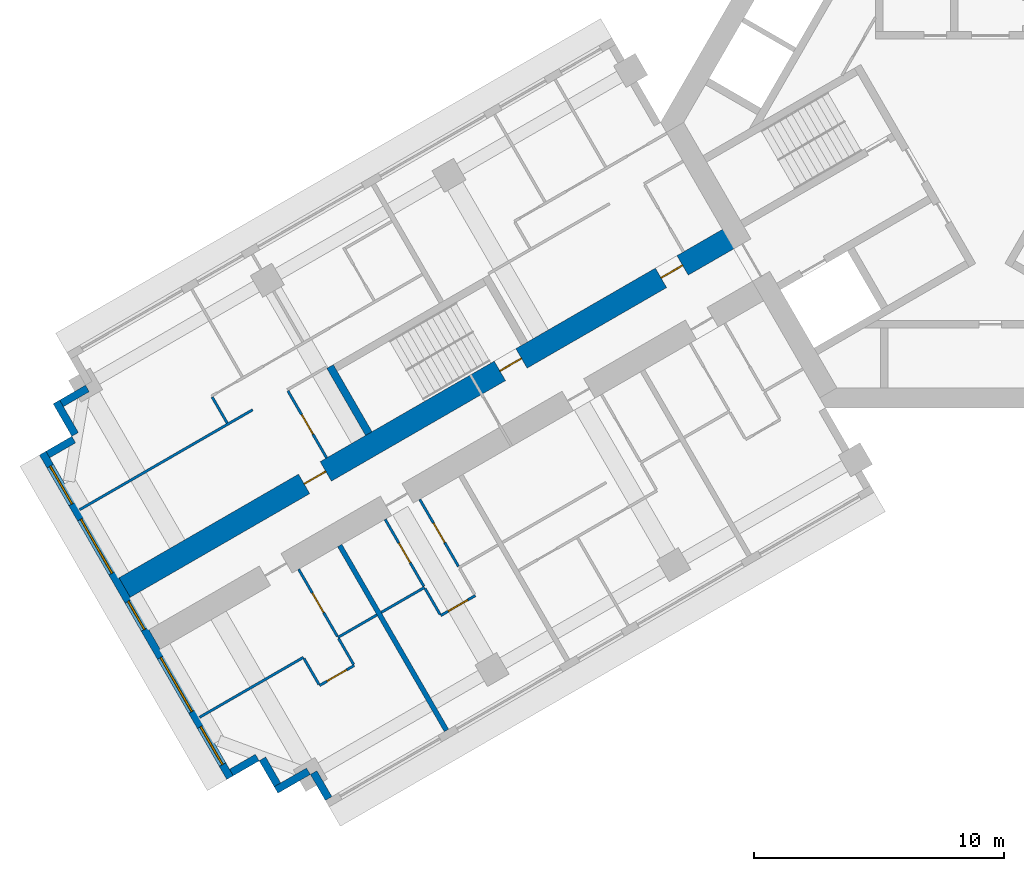
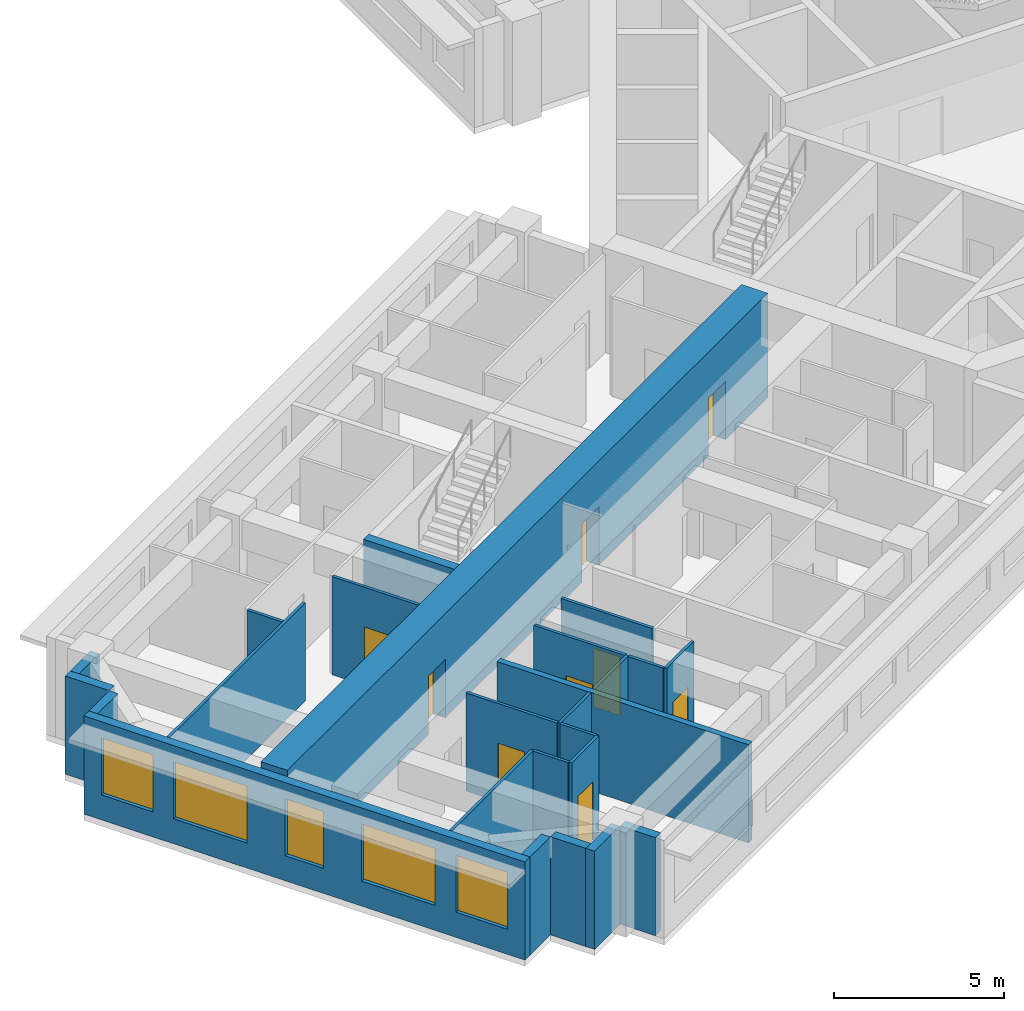
# One storey, part 2 of 12: 25 walls, 9 doors, 5 windows, 14 openings.
"""IFC4 building model written with IfcOpenShell, lengths in metres."""

from ifc_helpers import new_model, si_unit, direction, frame, frame_2d, origin, place, context, subcontext, project, spatial, rectangle, extrude, material, layer, layer_set, type_object, element, fill, save


model = new_model("IFC4")

# Units and contexts
model_context = context("Model", 3, precision=1e-05, world=origin(), true_north=direction((0.0, 1.0)))
body_context = subcontext(model_context, "Body", "Model", "MODEL_VIEW")
ifc_project = project(units=[si_unit("LENGTHUNIT", "METRE"), si_unit("AREAUNIT", "SQUARE_METRE"), si_unit("VOLUMEUNIT", "CUBIC_METRE"), si_unit("PLANEANGLEUNIT", "RADIAN"), si_unit("MASSUNIT", "GRAM", prefix="KILO")], contexts=[model_context])

# Site, building, storey
site_placement = place(None, origin())
site = spatial("IfcSite", under=ifc_project, at=site_placement, CompositionType="ELEMENT")
building_placement = place(site_placement, origin())
building = spatial("IfcBuilding", under=site, at=building_placement, Name="Impinga Residences", CompositionType="ELEMENT")
storey_placement = place(building_placement, frame((0.0, 0.0, 162.25)))
storey = spatial("IfcBuildingStorey", under=building, at=storey_placement, Name="L40", CompositionType="ELEMENT", Elevation=162.25)

# Wall, openings, doors
ifc_material_1 = material(Name="Concrete C60/75", Category="concrete")
ifc_layer_1 = layer(ifc_material_1, 0.89990234375)
ifc_layer_set_1 = layer_set([ifc_layer_1], Name="Concrete C60/75")
wall_type_1 = type_object("IfcWallType", Name="BW2 corridor buttress wall, L24 to L44 900", PredefinedType="SHEAR", material=ifc_layer_set_1)
wall_1_placement = place(storey_placement, frame((-10.153564453125, -4.4765625, 0.0), z_axis=(0.0, 0.0, 1.0), x_axis=(-0.866027127636, -0.49999701419, 0.0)))
wall_1 = element("IfcWall", 1, at=wall_1_placement, inside=storey, type_object=wall_type_1, Name="Corridor wall BW2 WD L40", PredefinedType="SHEAR", context=body_context, shape_type="SweptSolid", body=[
    extrude(rectangle(XDim=28.300048828125, YDim=0.89990234375, at=frame_2d((14.14990234375, 0.0))), origin(), (0.0, 0.0, 1.0), 3.75),
])
opening_1_placement = place(wall_1_placement, frame((9.949951171875, 0.0, 0.0)))
opening_1 = element("IfcOpeningElement", 2, at=opening_1_placement, cuts=wall_1, Name="Opening D5", PredefinedType="OPENING", context=body_context, shape_type="SweptSolid", body=[
    extrude(rectangle(XDim=1.0, YDim=2.10009765625, at=frame_2d((0.5, 1.050048828125))), frame((0.0, 0.4599609375, 0.0), z_axis=(0.0, -1.0, 0.0), x_axis=(1.0, 0.0, 0.0)), (0.0, 0.0, 1.0), 0.919921875),
])
opening_2_placement = place(wall_1_placement, frame((2.5, 0.0, 0.0)))
opening_2 = element("IfcOpeningElement", 3, at=opening_2_placement, cuts=wall_1, Name="Opening D1", PredefinedType="OPENING", context=body_context, shape_type="SweptSolid", body=[
    extrude(rectangle(XDim=1.0, YDim=2.10009765625, at=frame_2d((0.5, 1.050048828125))), frame((0.0, 0.4599609375, 0.0), z_axis=(0.0, -1.0, 0.0), x_axis=(1.0, 0.0, 0.0)), (0.0, 0.0, 1.0), 0.919921875),
])
opening_3_placement = place(wall_1_placement, frame((19.0, 0.0, 0.0)))
opening_3 = element("IfcOpeningElement", 4, at=opening_3_placement, cuts=wall_1, Name="Opening D1", PredefinedType="OPENING", context=body_context, shape_type="SweptSolid", body=[
    extrude(rectangle(XDim=1.0, YDim=2.10009765625, at=frame_2d((0.5, 1.050048828125))), frame((0.0, 0.4599609375, 0.0), z_axis=(0.0, -1.0, 0.0), x_axis=(1.0, 0.0, 0.0)), (0.0, 0.0, 1.0), 0.919921875),
])
ifc_material_2 = material(Name="Timber door set", Category="wood")
door_type_1 = type_object("IfcDoorType", Name="D1 apartment entrance door 1000x2100", OperationType="SINGLE_SWING_LEFT", PredefinedType="DOOR", material=ifc_material_2)
door_1_placement = place(opening_2_placement, origin())
door_1 = element("IfcDoor", 5, at=door_1_placement, inside=storey, type_object=door_type_1, Name="Apartment L40-WF1 entrance", OperationType="SINGLE_SWING_LEFT", OverallHeight=2.10009765625, OverallWidth=1.0, PredefinedType="DOOR", context=body_context, shape_type="SweptSolid", body=[
    extrude(rectangle(XDim=1.0, YDim=2.10009765625, at=frame_2d((0.5, 1.050048828125))), frame((0.0, 0.02490234375, 0.0), z_axis=(0.0, -1.0, 0.0), x_axis=(1.0, 0.0, 0.0)), (0.0, 0.0, 1.0), 0.050048828125),
])
fill(opening_2, door_1)
door_2_placement = place(opening_3_placement, origin())
door_2 = element("IfcDoor", 6, at=door_2_placement, inside=storey, type_object=door_type_1, Name="Apartment L40-WF2 entrance", OperationType="SINGLE_SWING_RIGHT", OverallHeight=2.10009765625, OverallWidth=1.0, PredefinedType="DOOR", context=body_context, shape_type="SweptSolid", body=[
    extrude(rectangle(XDim=1.0, YDim=2.10009765625, at=frame_2d((0.5, 1.050048828125))), frame((0.0, 0.02490234375, 0.0), z_axis=(0.0, -1.0, 0.0), x_axis=(1.0, 0.0, 0.0)), (0.0, 0.0, 1.0), 0.050048828125),
])
fill(opening_3, door_2)
door_type_2 = type_object("IfcDoorType", Name="D5 stair door 1000x2100", OperationType="SINGLE_SWING_LEFT", PredefinedType="DOOR", material=ifc_material_2)
door_3_placement = place(opening_1_placement, origin())
door_3 = element("IfcDoor", 7, at=door_3_placement, inside=storey, type_object=door_type_2, Name="Wing stair door W", OperationType="SINGLE_SWING_LEFT", OverallHeight=2.10009765625, OverallWidth=1.0, PredefinedType="DOOR", context=body_context, shape_type="SweptSolid", body=[
    extrude(rectangle(XDim=1.0, YDim=2.10009765625, at=frame_2d((0.5, 1.050048828125))), frame((0.0, 0.02490234375, 0.0), z_axis=(0.0, -1.0, 0.0), x_axis=(1.0, 0.0, 0.0)), (0.0, 0.0, 1.0), 0.050048828125),
])
fill(opening_1, door_3)

# Walls
ifc_material_3 = material(Name="Terracotta rainscreen on blockwork", Category="masonry")
ifc_layer_2 = layer(ifc_material_3, 0.300048828125)
ifc_layer_set_2 = layer_set([ifc_layer_2], Name="EW1 external wall, terracotta rainscreen on blockwork 300")
wall_type_2 = type_object("IfcWallType", Name="EW1 external wall, terracotta rainscreen on blockwork 300", PredefinedType="SOLIDWALL", material=ifc_layer_set_2)
wall_2_placement = place(storey_placement, frame((-26.493896484375, -27.07421875, 0.0), z_axis=(0.0, 0.0, 1.0), x_axis=(-0.500033551112, 0.866006032174, 0.0)))
element("IfcWall", 8, at=wall_2_placement, inside=storey, type_object=wall_type_2, Name="External wall EW1 L40", PredefinedType="SOLIDWALL", context=body_context, shape_type="SweptSolid", body=[
    extrude(rectangle(XDim=1.2001953125, YDim=0.300048828125, at=frame_2d((0.60009765625, 0.0))), origin(), (0.0, 0.0, 1.0), 3.530029296875),
])
wall_3_placement = place(storey_placement, frame((-27.30322265625, -25.982666015625, 0.0), z_axis=(0.0, 0.0, 1.0), x_axis=(-0.866074087889, -0.499915667175, 0.0)))
element("IfcWall", 9, at=wall_3_placement, inside=storey, type_object=wall_type_2, Name="External wall EW1 L40", PredefinedType="SOLIDWALL", context=body_context, shape_type="SweptSolid", body=[
    extrude(rectangle(XDim=1.494873046875, YDim=0.300048828125, at=frame_2d((0.74755859375, 0.0))), origin(), (0.0, 0.0, 1.0), 3.530029296875),
])
wall_4_placement = place(storey_placement, frame((-28.54296875, -26.525146484375, 0.0), z_axis=(0.0, 0.0, 1.0), x_axis=(-0.500033551112, 0.866006032174, 0.0)))
element("IfcWall", 10, at=wall_4_placement, inside=storey, type_object=wall_type_2, Name="External wall EW1 L40", PredefinedType="SOLIDWALL", context=body_context, shape_type="SweptSolid", body=[
    extrude(rectangle(XDim=1.2001953125, YDim=0.300048828125, at=frame_2d((0.60009765625, 0.0))), origin(), (0.0, 0.0, 1.0), 3.530029296875),
])
wall_5_placement = place(storey_placement, frame((-29.352294921875, -25.43359375, 0.0), z_axis=(0.0, 0.0, 1.0), x_axis=(-0.866059708757, -0.499940577336, 0.0)))
element("IfcWall", 11, at=wall_5_placement, inside=storey, type_object=wall_type_2, Name="External wall EW1 L40", PredefinedType="SOLIDWALL", context=body_context, shape_type="SweptSolid", body=[
    extrude(rectangle(XDim=1.195068359375, YDim=0.300048828125, at=frame_2d((0.59765625, 0.0))), origin(), (0.0, 0.0, 1.0), 3.530029296875),
])

# Wall, openings, windows
wall_6_placement = place(storey_placement, frame((-30.44189453125, -26.23583984375, 0.0), z_axis=(0.0, 0.0, 1.0), x_axis=(-0.500004234368, 0.866022959057, 0.0)))
wall_6 = element("IfcWall", 12, at=wall_6_placement, inside=storey, type_object=wall_type_2, Name="External wall EW1 L40", PredefinedType="SOLIDWALL", context=body_context, shape_type="SweptSolid", body=[
    extrude(rectangle(XDim=14.999755859375, YDim=0.300048828125, at=frame_2d((7.5, 0.0))), origin(), (0.0, 0.0, 1.0), 3.530029296875),
])
opening_4_placement = place(wall_6_placement, frame((0.60009765625, 0.0, 0.89990234375)))
opening_4 = element("IfcOpeningElement", 13, at=opening_4_placement, cuts=wall_6, Name="Opening W1", PredefinedType="OPENING", context=body_context, shape_type="SweptSolid", body=[
    extrude(rectangle(XDim=1.75, YDim=2.050048828125, at=frame_2d((0.875, 1.02490234375))), frame((0.0, 0.159912109375, 0.0), z_axis=(0.0, -1.0, 0.0), x_axis=(1.0, 0.0, 0.0)), (0.0, 0.0, 1.0), 0.320068359375),
])
opening_5_placement = place(wall_6_placement, frame((3.050048828125, 0.0, 0.89990234375)))
opening_5 = element("IfcOpeningElement", 14, at=opening_5_placement, cuts=wall_6, Name="Opening W2", PredefinedType="OPENING", context=body_context, shape_type="SweptSolid", body=[
    extrude(rectangle(XDim=2.5, YDim=2.050048828125, at=frame_2d((1.25, 1.02490234375))), frame((0.0, 0.159912109375, 0.0), z_axis=(0.0, -1.0, 0.0), x_axis=(1.0, 0.0, 0.0)), (0.0, 0.0, 1.0), 0.320068359375),
])
opening_6_placement = place(wall_6_placement, frame((6.85009765625, 0.0, 0.89990234375)))
opening_6 = element("IfcOpeningElement", 15, at=opening_6_placement, cuts=wall_6, Name="Opening WE1", PredefinedType="OPENING", context=body_context, shape_type="SweptSolid", body=[
    extrude(rectangle(XDim=1.300048828125, YDim=2.050048828125, at=frame_2d((0.64990234375, 1.02490234375))), frame((0.0, 0.159912109375, 0.0), z_axis=(0.0, -1.0, 0.0), x_axis=(1.0, 0.0, 0.0)), (0.0, 0.0, 1.0), 0.320068359375),
])
opening_7_placement = place(wall_6_placement, frame((9.449951171875, 0.0, 0.89990234375)))
opening_7 = element("IfcOpeningElement", 16, at=opening_7_placement, cuts=wall_6, Name="Opening W2", PredefinedType="OPENING", context=body_context, shape_type="SweptSolid", body=[
    extrude(rectangle(XDim=2.5, YDim=2.050048828125, at=frame_2d((1.25, 1.02490234375))), frame((0.0, 0.159912109375, 0.0), z_axis=(0.0, -1.0, 0.0), x_axis=(1.0, 0.0, 0.0)), (0.0, 0.0, 1.0), 0.320068359375),
])
opening_8_placement = place(wall_6_placement, frame((12.64990234375, 0.0, 0.89990234375)))
opening_8 = element("IfcOpeningElement", 17, at=opening_8_placement, cuts=wall_6, Name="Opening W1", PredefinedType="OPENING", context=body_context, shape_type="SweptSolid", body=[
    extrude(rectangle(XDim=1.75, YDim=2.050048828125, at=frame_2d((0.875, 1.02490234375))), frame((0.0, 0.159912109375, 0.0), z_axis=(0.0, -1.0, 0.0), x_axis=(1.0, 0.0, 0.0)), (0.0, 0.0, 1.0), 0.320068359375),
])
ifc_material_4 = material(Name="Aluminium window, clear double glazing", Category="aluminium")
window_type_1 = type_object("IfcWindowType", Name="W1 ribbon window 1750x2050", PartitioningType="SINGLE_PANEL", PredefinedType="WINDOW", material=ifc_material_4)
window_1_placement = place(opening_4_placement, origin())
window_1 = element("IfcWindow", 18, at=window_1_placement, inside=storey, type_object=window_type_1, Name="Window L40", OverallHeight=2.050048828125, OverallWidth=1.75, PartitioningType="SINGLE_PANEL", PredefinedType="WINDOW", context=body_context, shape_type="SweptSolid", body=[
    extrude(rectangle(XDim=1.75, YDim=2.050048828125, at=frame_2d((0.875, 1.02490234375))), frame((0.0, 0.030029296875, 0.0), z_axis=(0.0, -1.0, 0.0), x_axis=(1.0, 0.0, 0.0)), (0.0, 0.0, 1.0), 0.06005859375),
])
fill(opening_4, window_1)
window_2_placement = place(opening_8_placement, origin())
window_2 = element("IfcWindow", 19, at=window_2_placement, inside=storey, type_object=window_type_1, Name="Window L40", OverallHeight=2.050048828125, OverallWidth=1.75, PartitioningType="SINGLE_PANEL", PredefinedType="WINDOW", context=body_context, shape_type="SweptSolid", body=[
    extrude(rectangle(XDim=1.75, YDim=2.050048828125, at=frame_2d((0.875, 1.02490234375))), frame((0.0, 0.030029296875, 0.0), z_axis=(0.0, -1.0, 0.0), x_axis=(1.0, 0.0, 0.0)), (0.0, 0.0, 1.0), 0.06005859375),
])
fill(opening_8, window_2)
window_type_2 = type_object("IfcWindowType", Name="W2 ribbon window 2500x2050", PartitioningType="SINGLE_PANEL", PredefinedType="WINDOW", material=ifc_material_4)
window_3_placement = place(opening_5_placement, origin())
window_3 = element("IfcWindow", 20, at=window_3_placement, inside=storey, type_object=window_type_2, Name="Window L40", OverallHeight=2.050048828125, OverallWidth=2.5, PartitioningType="SINGLE_PANEL", PredefinedType="WINDOW", context=body_context, shape_type="SweptSolid", body=[
    extrude(rectangle(XDim=2.5, YDim=2.050048828125, at=frame_2d((1.25, 1.02490234375))), frame((0.0, 0.030029296875, 0.0), z_axis=(0.0, -1.0, 0.0), x_axis=(1.0, 0.0, 0.0)), (0.0, 0.0, 1.0), 0.06005859375),
])
fill(opening_5, window_3)
window_4_placement = place(opening_7_placement, origin())
window_4 = element("IfcWindow", 21, at=window_4_placement, inside=storey, type_object=window_type_2, Name="Window L40", OverallHeight=2.050048828125, OverallWidth=2.5, PartitioningType="SINGLE_PANEL", PredefinedType="WINDOW", context=body_context, shape_type="SweptSolid", body=[
    extrude(rectangle(XDim=2.5, YDim=2.050048828125, at=frame_2d((1.25, 1.02490234375))), frame((0.0, 0.030029296875, 0.0), z_axis=(0.0, -1.0, 0.0), x_axis=(1.0, 0.0, 0.0)), (0.0, 0.0, 1.0), 0.06005859375),
])
fill(opening_7, window_4)
window_type_3 = type_object("IfcWindowType", Name="WE1 corridor window 1300x2050", PartitioningType="SINGLE_PANEL", PredefinedType="WINDOW", material=ifc_material_4)
window_5_placement = place(opening_6_placement, origin())
window_5 = element("IfcWindow", 22, at=window_5_placement, inside=storey, type_object=window_type_3, Name="Window L40", OverallHeight=2.050048828125, OverallWidth=1.300048828125, PartitioningType="SINGLE_PANEL", PredefinedType="WINDOW", context=body_context, shape_type="SweptSolid", body=[
    extrude(rectangle(XDim=1.300048828125, YDim=2.050048828125, at=frame_2d((0.64990234375, 1.02490234375))), frame((0.0, 0.030029296875, 0.0), z_axis=(0.0, -1.0, 0.0), x_axis=(1.0, 0.0, 0.0)), (0.0, 0.0, 1.0), 0.06005859375),
])
fill(opening_6, window_5)

# Walls
wall_7_placement = place(storey_placement, frame((-37.737060546875, -13.300537109375, 0.0), z_axis=(0.0, 0.0, 1.0), x_axis=(0.865971243484, 0.500093796661, 0.0)))
element("IfcWall", 23, at=wall_7_placement, inside=storey, type_object=wall_type_2, Name="External wall EW1 L40", PredefinedType="SOLIDWALL", context=body_context, shape_type="SweptSolid", body=[
    extrude(rectangle(XDim=1.195068359375, YDim=0.300048828125, at=frame_2d((0.59765625, 0.0))), origin(), (0.0, 0.0, 1.0), 3.530029296875),
])
wall_8_placement = place(storey_placement, frame((-36.64306640625, -12.49560546875, 0.0), z_axis=(0.0, 0.0, 1.0), x_axis=(-0.499990139034, 0.866031096941, 0.0)))
element("IfcWall", 24, at=wall_8_placement, inside=storey, type_object=wall_type_2, Name="External wall EW1 L40", PredefinedType="SOLIDWALL", context=body_context, shape_type="SweptSolid", body=[
    extrude(rectangle(XDim=1.5, YDim=0.300048828125, at=frame_2d((0.75, 0.0))), origin(), (0.0, 0.0, 1.0), 3.530029296875),
])
wall_9_placement = place(storey_placement, frame((-37.18798828125, -11.25146484375, 0.0), z_axis=(0.0, 0.0, 1.0), x_axis=(0.866059708757, 0.499940577336, 0.0)))
element("IfcWall", 25, at=wall_9_placement, inside=storey, type_object=wall_type_2, Name="External wall EW1 L40", PredefinedType="SOLIDWALL", context=body_context, shape_type="SweptSolid", body=[
    extrude(rectangle(XDim=1.195068359375, YDim=0.300048828125, at=frame_2d((0.59765625, 0.0))), origin(), (0.0, 0.0, 1.0), 3.530029296875),
])
ifc_material_5 = material(Name="Gypsum board on steel studs", Category="steel")
ifc_layer_3 = layer(ifc_material_5, 0.10009765625)
ifc_layer_set_3 = layer_set([ifc_layer_3], Name="Gypsum board on steel studs")
wall_type_3 = type_object("IfcWallType", Name="IP1 partition 100", PredefinedType="PARTITIONING", material=ifc_layer_set_3)
wall_10_placement = place(storey_placement, frame((-22.655517578125, -18.622802734375, 0.0), z_axis=(0.0, 0.0, 1.0), x_axis=(-0.866010750942, -0.50002537861, 0.0)))
element("IfcWall", 26, at=wall_10_placement, inside=storey, type_object=wall_type_3, Name="Partition L40-WA3:DIV1", PredefinedType="PARTITIONING", context=body_context, shape_type="SweptSolid", body=[
    extrude(rectangle(XDim=2.0, YDim=0.10009765625, at=frame_2d((1.0, 0.0))), origin(), (0.0, 0.0, 1.0), 3.530029296875),
])

# Wall, opening, door
wall_11_placement = place(storey_placement, frame((-20.619873046875, -18.948486328125, 0.0), z_axis=(0.0, 0.0, 1.0), x_axis=(-0.865989903783, -0.500061482766, 0.0)))
wall_11 = element("IfcWall", 27, at=wall_11_placement, inside=storey, type_object=wall_type_3, Name="Partition L40-WA3:STRIP", PredefinedType="PARTITIONING", context=body_context, shape_type="SweptSolid", body=[
    extrude(rectangle(XDim=1.599853515625, YDim=0.10009765625, at=frame_2d((0.7998046875, 0.0))), origin(), (0.0, 0.0, 1.0), 3.530029296875),
])
opening_9_placement = place(wall_11_placement, frame((0.35009765625, 0.0, 0.0)))
opening_9 = element("IfcOpeningElement", 28, at=opening_9_placement, cuts=wall_11, Name="Opening D2", PredefinedType="OPENING", context=body_context, shape_type="SweptSolid", body=[
    extrude(rectangle(XDim=0.89990234375, YDim=2.10009765625, at=frame_2d((0.449951171875, 1.050048828125))), frame((0.0, 0.06005859375, 0.0), z_axis=(0.0, -1.0, 0.0), x_axis=(1.0, 0.0, 0.0)), (0.0, 0.0, 1.0), 0.1201171875),
])
door_type_3 = type_object("IfcDoorType", Name="D2 internal door 900x2100", OperationType="SINGLE_SWING_LEFT", PredefinedType="DOOR", material=ifc_material_2)
door_4_placement = place(opening_9_placement, origin())
door_4 = element("IfcDoor", 29, at=door_4_placement, inside=storey, type_object=door_type_3, Name="Apartment L40-WA3 room door", OperationType="SINGLE_SWING_LEFT", OverallHeight=2.10009765625, OverallWidth=0.89990234375, PredefinedType="DOOR", context=body_context, shape_type="SweptSolid", body=[
    extrude(rectangle(XDim=0.89990234375, YDim=2.10009765625, at=frame_2d((0.449951171875, 1.050048828125))), frame((0.0, 0.02490234375, 0.0), z_axis=(0.0, -1.0, 0.0), x_axis=(1.0, 0.0, 0.0)), (0.0, 0.0, 1.0), 0.050048828125),
])
fill(opening_9, door_4)

# Wall
wall_12_placement = place(storey_placement, frame((-22.63037109375, -18.666015625, 0.0), z_axis=(0.0, 0.0, 1.0), x_axis=(0.499880961361, -0.866094119867, 0.0)))
element("IfcWall", 30, at=wall_12_placement, inside=storey, type_object=wall_type_3, Name="Partition L40-WA3:SE1", PredefinedType="PARTITIONING", context=body_context, shape_type="SweptSolid", body=[
    extrude(rectangle(XDim=1.199951171875, YDim=0.10009765625, at=frame_2d((0.60009765625, 0.0))), origin(), (0.0, 0.0, 1.0), 3.530029296875),
])

# Wall, opening, door
wall_13_placement = place(storey_placement, frame((-22.8447265625, -15.0947265625, 0.0), z_axis=(0.0, 0.0, 1.0), x_axis=(0.499967891604, -0.866043940782, 0.0)))
wall_13 = element("IfcWall", 31, at=wall_13_placement, inside=storey, type_object=wall_type_3, Name="Partition L40-WA3:IB1", PredefinedType="PARTITIONING", context=body_context, shape_type="SweptSolid", body=[
    extrude(rectangle(XDim=3.099853515625, YDim=0.10009765625, at=frame_2d((1.5498046875, 0.0))), origin(), (0.0, 0.0, 1.0), 3.530029296875),
])
opening_10_placement = place(wall_13_placement, frame((1.10009765625, 0.0, 0.0)))
opening_10 = element("IfcOpeningElement", 32, at=opening_10_placement, cuts=wall_13, Name="Opening D2", PredefinedType="OPENING", context=body_context, shape_type="SweptSolid", body=[
    extrude(rectangle(XDim=0.89990234375, YDim=2.10009765625, at=frame_2d((0.449951171875, 1.050048828125))), frame((0.0, 0.06005859375, 0.0), z_axis=(0.0, -1.0, 0.0), x_axis=(1.0, 0.0, 0.0)), (0.0, 0.0, 1.0), 0.1201171875),
])
door_5_placement = place(opening_10_placement, origin())
door_5 = element("IfcDoor", 33, at=door_5_placement, inside=storey, type_object=door_type_3, Name="Apartment L40-WA3 bathroom door", OperationType="SINGLE_SWING_LEFT", OverallHeight=2.10009765625, OverallWidth=0.89990234375, PredefinedType="DOOR", context=body_context, shape_type="SweptSolid", body=[
    extrude(rectangle(XDim=0.89990234375, YDim=2.10009765625, at=frame_2d((0.449951171875, 1.050048828125))), frame((0.0, 0.02490234375, 0.0), z_axis=(0.0, -1.0, 0.0), x_axis=(1.0, 0.0, 0.0)), (0.0, 0.0, 1.0), 0.050048828125),
])
fill(opening_10, door_5)

wall_14_placement = place(storey_placement, frame((-24.23046875, -15.894775390625, 0.0), z_axis=(0.0, 0.0, 1.0), x_axis=(0.500026960575, -0.86600983753, 0.0)))
wall_14 = element("IfcWall", 34, at=wall_14_placement, inside=storey, type_object=wall_type_3, Name="Partition L40-WA3:IB2", PredefinedType="PARTITIONING", context=body_context, shape_type="SweptSolid", body=[
    extrude(rectangle(XDim=3.099853515625, YDim=0.10009765625, at=frame_2d((1.5498046875, 0.0))), origin(), (0.0, 0.0, 1.0), 3.530029296875),
])
opening_11_placement = place(wall_14_placement, frame((1.10009765625, 0.0, 0.0)))
opening_11 = element("IfcOpeningElement", 35, at=opening_11_placement, cuts=wall_14, Name="Opening D2", PredefinedType="OPENING", context=body_context, shape_type="SweptSolid", body=[
    extrude(rectangle(XDim=0.89990234375, YDim=2.10009765625, at=frame_2d((0.449951171875, 1.050048828125))), frame((0.0, 0.06005859375, 0.0), z_axis=(0.0, -1.0, 0.0), x_axis=(1.0, 0.0, 0.0)), (0.0, 0.0, 1.0), 0.1201171875),
])
door_6_placement = place(opening_11_placement, origin())
door_6 = element("IfcDoor", 36, at=door_6_placement, inside=storey, type_object=door_type_3, Name="Apartment L40-WA3 WC door", OperationType="SINGLE_SWING_LEFT", OverallHeight=2.10009765625, OverallWidth=0.89990234375, PredefinedType="DOOR", context=body_context, shape_type="SweptSolid", body=[
    extrude(rectangle(XDim=0.89990234375, YDim=2.10009765625, at=frame_2d((0.449951171875, 1.050048828125))), frame((0.0, 0.02490234375, 0.0), z_axis=(0.0, -1.0, 0.0), x_axis=(1.0, 0.0, 0.0)), (0.0, 0.0, 1.0), 0.050048828125),
])
fill(opening_11, door_6)

# Walls
wall_15_placement = place(storey_placement, frame((-24.560791015625, -19.72265625, 0.0), z_axis=(0.0, 0.0, 1.0), x_axis=(-0.865989075817, -0.500062916607, 0.0)))
element("IfcWall", 37, at=wall_15_placement, inside=storey, type_object=wall_type_3, Name="Partition L40-WA4:DIV0", PredefinedType="PARTITIONING", context=body_context, shape_type="SweptSolid", body=[
    extrude(rectangle(XDim=1.800048828125, YDim=0.10009765625, at=frame_2d((0.89990234375, 0.0))), origin(), (0.0, 0.0, 1.0), 3.530029296875),
])
wall_16_placement = place(storey_placement, frame((-27.505126953125, -21.422607421875, 0.0), z_axis=(0.0, 0.0, 1.0), x_axis=(-0.866015339567, -0.500017431331, 0.0)))
element("IfcWall", 38, at=wall_16_placement, inside=storey, type_object=wall_type_3, Name="Partition L40-WA4:DIV1", PredefinedType="PARTITIONING", context=body_context, shape_type="SweptSolid", body=[
    extrude(rectangle(XDim=4.800048828125, YDim=0.10009765625, at=frame_2d((2.39990234375, 0.0))), origin(), (0.0, 0.0, 1.0), 3.530029296875),
])

# Wall, opening, door
wall_17_placement = place(storey_placement, frame((-25.469482421875, -21.74853515625, 0.0), z_axis=(0.0, 0.0, 1.0), x_axis=(-0.866028054938, -0.499995408039, 0.0)))
wall_17 = element("IfcWall", 39, at=wall_17_placement, inside=storey, type_object=wall_type_3, Name="Partition L40-WA4:STRIP", PredefinedType="PARTITIONING", context=body_context, shape_type="SweptSolid", body=[
    extrude(rectangle(XDim=1.60009765625, YDim=0.10009765625, at=frame_2d((0.800048828125, 0.0))), origin(), (0.0, 0.0, 1.0), 3.530029296875),
])
opening_12_placement = place(wall_17_placement, frame((0.35009765625, 0.0, 0.0)))
opening_12 = element("IfcOpeningElement", 40, at=opening_12_placement, cuts=wall_17, Name="Opening D2", PredefinedType="OPENING", context=body_context, shape_type="SweptSolid", body=[
    extrude(rectangle(XDim=0.89990234375, YDim=2.10009765625, at=frame_2d((0.449951171875, 1.050048828125))), frame((0.0, 0.06005859375, 0.0), z_axis=(0.0, -1.0, 0.0), x_axis=(1.0, 0.0, 0.0)), (0.0, 0.0, 1.0), 0.1201171875),
])
door_7_placement = place(opening_12_placement, origin())
door_7 = element("IfcDoor", 41, at=door_7_placement, inside=storey, type_object=door_type_3, Name="Apartment L40-WA4 room door", OperationType="SINGLE_SWING_LEFT", OverallHeight=2.10009765625, OverallWidth=0.89990234375, PredefinedType="DOOR", context=body_context, shape_type="SweptSolid", body=[
    extrude(rectangle(XDim=0.89990234375, YDim=2.10009765625, at=frame_2d((0.449951171875, 1.050048828125))), frame((0.0, 0.02490234375, 0.0), z_axis=(0.0, -1.0, 0.0), x_axis=(1.0, 0.0, 0.0)), (0.0, 0.0, 1.0), 0.050048828125),
])
fill(opening_12, door_7)

# Walls
for number, where, z_axis, x_axis, name in (
    (42, (-26.094482421875, -20.666015625, 0.0), (0.0, 0.0, 1.0), (0.499880961361, -0.866094119867, 0.0), "Partition L40-WA4:SE0"),
    (43, (-27.480224609375, -21.466064453125, 0.0), (0.0, 0.0, 1.0), (0.50012165622, -0.865955154139, 0.0), "Partition L40-WA4:SE1"),
):
    element("IfcWall", number, at=place(storey_placement, frame(where, z_axis=z_axis, x_axis=x_axis)), inside=storey, type_object=wall_type_3, Name=name, PredefinedType="PARTITIONING", context=body_context, shape_type="SweptSolid", body=[
        extrude(rectangle(XDim=1.199951171875, YDim=0.10009765625, at=frame_2d((0.60009765625, 0.0))), origin(), (0.0, 0.0, 1.0), 3.530029296875),
    ])

# Wall, opening, door
wall_18_placement = place(storey_placement, frame((-27.694580078125, -17.894775390625, 0.0), z_axis=(0.0, 0.0, 1.0), x_axis=(0.500026960575, -0.86600983753, 0.0)))
wall_18 = element("IfcWall", 44, at=wall_18_placement, inside=storey, type_object=wall_type_3, Name="Partition L40-WA4:IB1", PredefinedType="PARTITIONING", context=body_context, shape_type="SweptSolid", body=[
    extrude(rectangle(XDim=3.099853515625, YDim=0.10009765625, at=frame_2d((1.5498046875, 0.0))), origin(), (0.0, 0.0, 1.0), 3.530029296875),
])
opening_13_placement = place(wall_18_placement, frame((1.10009765625, 0.0, 0.0)))
opening_13 = element("IfcOpeningElement", 45, at=opening_13_placement, cuts=wall_18, Name="Opening D2", PredefinedType="OPENING", context=body_context, shape_type="SweptSolid", body=[
    extrude(rectangle(XDim=0.89990234375, YDim=2.10009765625, at=frame_2d((0.449951171875, 1.050048828125))), frame((0.0, 0.06005859375, 0.0), z_axis=(0.0, -1.0, 0.0), x_axis=(1.0, 0.0, 0.0)), (0.0, 0.0, 1.0), 0.1201171875),
])
door_8_placement = place(opening_13_placement, origin())
door_8 = element("IfcDoor", 46, at=door_8_placement, inside=storey, type_object=door_type_3, Name="Apartment L40-WA4 bathroom door", OperationType="SINGLE_SWING_LEFT", OverallHeight=2.10009765625, OverallWidth=0.89990234375, PredefinedType="DOOR", context=body_context, shape_type="SweptSolid", body=[
    extrude(rectangle(XDim=0.89990234375, YDim=2.10009765625, at=frame_2d((0.449951171875, 1.050048828125))), frame((0.0, 0.02490234375, 0.0), z_axis=(0.0, -1.0, 0.0), x_axis=(1.0, 0.0, 0.0)), (0.0, 0.0, 1.0), 0.050048828125),
])
fill(opening_13, door_8)

# Walls
wall_19_placement = place(storey_placement, frame((-29.533935546875, -11.5087890625, 0.0), z_axis=(0.0, 0.0, 1.0), x_axis=(-0.866026010844, -0.49999894854, 0.0)))
element("IfcWall", 47, at=wall_19_placement, inside=storey, type_object=wall_type_3, Name="Partition L40-WF2:DIV1", PredefinedType="PARTITIONING", context=body_context, shape_type="SweptSolid", body=[
    extrude(rectangle(XDim=8.0, YDim=0.10009765625, at=frame_2d((4.0, 0.0))), origin(), (0.0, 0.0, 1.0), 3.530029296875),
])
wall_20_placement = place(storey_placement, frame((-30.554931640625, -12.04052734375, 0.0), z_axis=(0.0, 0.0, 1.0), x_axis=(-0.499880961361, 0.866094119867, 0.0)))
element("IfcWall", 48, at=wall_20_placement, inside=storey, type_object=wall_type_3, Name="Partition L40-WF2:SE1", PredefinedType="PARTITIONING", context=body_context, shape_type="SweptSolid", body=[
    extrude(rectangle(XDim=1.199951171875, YDim=0.10009765625, at=frame_2d((0.60009765625, 0.0))), origin(), (0.0, 0.0, 1.0), 3.530029296875),
])

# Wall, opening, door
wall_21_placement = place(storey_placement, frame((-26.5732421875, -13.436767578125, 0.0), z_axis=(0.0, 0.0, 1.0), x_axis=(-0.500026960575, 0.86600983753, 0.0)))
wall_21 = element("IfcWall", 49, at=wall_21_placement, inside=storey, type_object=wall_type_3, Name="Partition L40-WF2:IB1", PredefinedType="PARTITIONING", context=body_context, shape_type="SweptSolid", body=[
    extrude(rectangle(XDim=3.099853515625, YDim=0.10009765625, at=frame_2d((1.5498046875, 0.0))), origin(), (0.0, 0.0, 1.0), 3.530029296875),
])
opening_14_placement = place(wall_21_placement, frame((1.10009765625, 0.0, 0.0)))
opening_14 = element("IfcOpeningElement", 50, at=opening_14_placement, cuts=wall_21, Name="Opening D2", PredefinedType="OPENING", context=body_context, shape_type="SweptSolid", body=[
    extrude(rectangle(XDim=0.89990234375, YDim=2.10009765625, at=frame_2d((0.449951171875, 1.050048828125))), frame((0.0, 0.06005859375, 0.0), z_axis=(0.0, -1.0, 0.0), x_axis=(1.0, 0.0, 0.0)), (0.0, 0.0, 1.0), 0.1201171875),
])
door_9_placement = place(opening_14_placement, origin())
door_9 = element("IfcDoor", 51, at=door_9_placement, inside=storey, type_object=door_type_3, Name="Apartment L40-WF2 bathroom door", OperationType="SINGLE_SWING_LEFT", OverallHeight=2.10009765625, OverallWidth=0.89990234375, PredefinedType="DOOR", context=body_context, shape_type="SweptSolid", body=[
    extrude(rectangle(XDim=0.89990234375, YDim=2.10009765625, at=frame_2d((0.449951171875, 1.050048828125))), frame((0.0, 0.02490234375, 0.0), z_axis=(0.0, -1.0, 0.0), x_axis=(1.0, 0.0, 0.0)), (0.0, 0.0, 1.0), 0.050048828125),
])
fill(opening_14, door_9)

# Walls
ifc_material_6 = material(Name="Concrete blockwork", Category="masonry")
ifc_layer_4 = layer(ifc_material_6, 0.199951171875)
ifc_layer_set_4 = layer_set([ifc_layer_4], Name="PW1 party wall between apartments 200")
wall_type_4 = type_object("IfcWallType", Name="PW1 party wall between apartments 200", PredefinedType="SOLIDWALL", material=ifc_layer_set_4)
wall_22_placement = place(storey_placement, frame((-26.049072265625, -16.94482421875, 0.0), z_axis=(0.0, 0.0, 1.0), x_axis=(0.500002592159, -0.866023907196, 0.0)))
element("IfcWall", 52, at=wall_22_placement, inside=storey, type_object=wall_type_4, Name="Party wall between apartments L40-WA3:PARTY", PredefinedType="SOLIDWALL", context=body_context, shape_type="SweptSolid", body=[
    extrude(rectangle(XDim=8.5498046875, YDim=0.199951171875, at=frame_2d((4.27490234375, 0.0))), origin(), (0.0, 0.0, 1.0), 3.530029296875),
])
ifc_layer_5 = layer(ifc_material_1, 0.300048828125)
ifc_layer_set_5 = layer_set([ifc_layer_5], Name="Concrete C60/75")
wall_type_5 = type_object("IfcWallType", Name="SE1 wing stair enclosure wall 300", PredefinedType="SOLIDWALL", material=ifc_layer_set_5)
wall_23_placement = place(storey_placement, frame((-24.884521484375, -12.4619140625, 0.0), z_axis=(0.0, 0.0, 1.0), x_axis=(-0.49999285859, 0.86602952684, 0.0)))
element("IfcWall", 53, at=wall_23_placement, inside=storey, type_object=wall_type_5, Name="Stair enclosure wall SE1 W END1 L40", PredefinedType="SOLIDWALL", context=body_context, shape_type="SweptSolid", body=[
    extrude(rectangle(XDim=3.10009765625, YDim=0.300048828125, at=frame_2d((1.550048828125, 0.0))), origin(), (0.0, 0.0, 1.0), 3.75),
])

save(model, "model.ifc")
